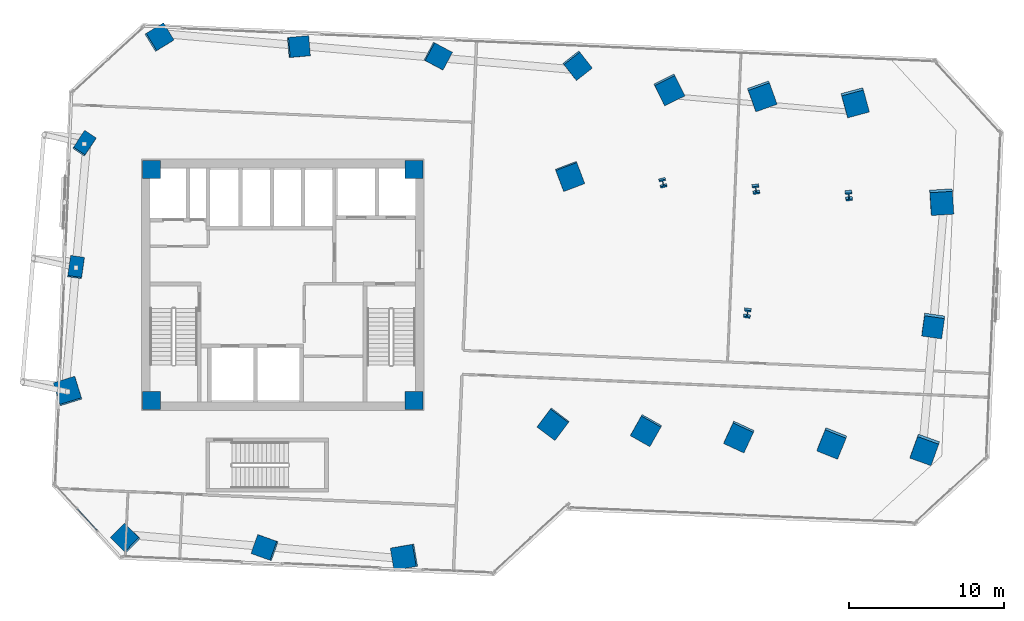
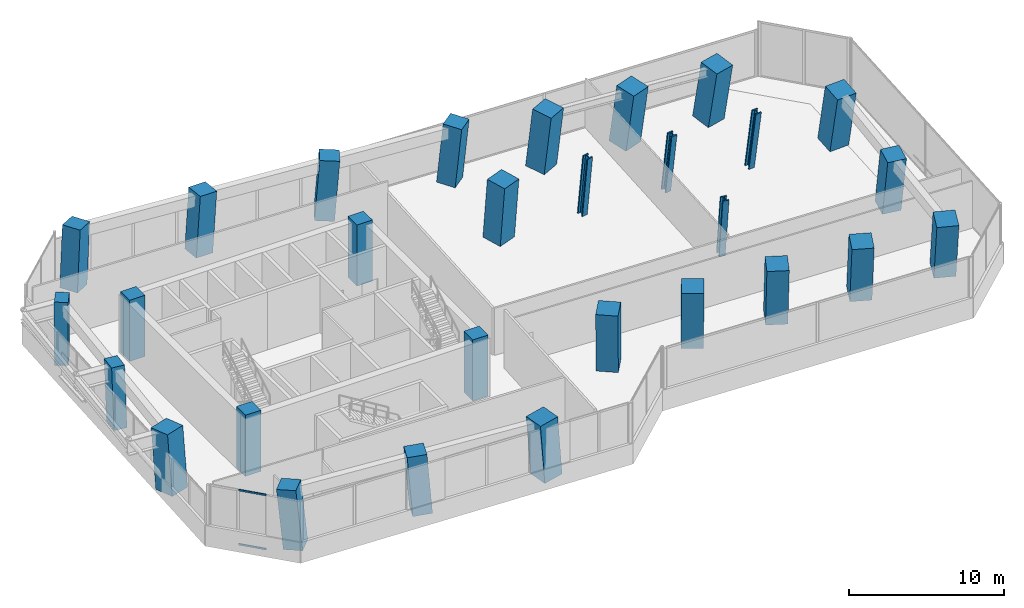
# One storey, part 1 of 26: 29 columns, 2 members, 1 element without a shape of its own.
"""IFC4 building model written with IfcOpenShell, lengths in metres."""

from ifc_helpers import new_model, si_unit, direction, frame, origin, origin_2d, place, context, subcontext, project, spatial, rectangle, hollow_rectangle, i_section, extrude, clip, halfspace, source, transform, mapped, material, material_profile, profile_set, type_object, element, aggregate, save


model = new_model("IFC4")

# Units and contexts
model_context = context("Model", 3, precision=1e-05, world=origin(), true_north=direction((0.0, 1.0)))
body_context = subcontext(model_context, "Body", "Model", "MODEL_VIEW")
ifc_project = project(units=[si_unit("LENGTHUNIT", "METRE"), si_unit("AREAUNIT", "SQUARE_METRE"), si_unit("VOLUMEUNIT", "CUBIC_METRE"), si_unit("PLANEANGLEUNIT", "RADIAN"), si_unit("MASSUNIT", "GRAM", prefix="KILO")], contexts=[model_context])

# Site, building, storey
site_placement = place(None, origin())
site = spatial("IfcSite", under=ifc_project, at=site_placement, CompositionType="ELEMENT")
building_placement = place(site_placement, origin())
building = spatial("IfcBuilding", under=site, at=building_placement, Name="Torre Montelarca", CompositionType="ELEMENT")
storey_placement = place(building_placement, frame((0.0, 0.0, 42.39990234375)))
storey = spatial("IfcBuildingStorey", under=building, at=storey_placement, Name="L09", CompositionType="ELEMENT", Elevation=42.39990234375)

# Columns
ifc_material_1 = material(Name="Concrete C55/67", Category="concrete")
ifc_material_profile_1 = material_profile(ifc_material_1, rectangle(XDim=0.89990234375, YDim=1.300048828125, at=origin_2d()), Name="RC1300X900", Category="concrete")
ifc_profile_set_1 = profile_set([ifc_material_profile_1], Name="Concrete C55/67")
column_type_1 = type_object("IfcColumnType", Name="COL-PIL1300-EXT", PredefinedType="PILASTER", material=ifc_profile_set_1)
column_1_placement = place(storey_placement, frame((4.68603515625, 33.10205078125, 0.0), z_axis=(0.005832072334, 0.076121222378, 0.997081514439), x_axis=(0.989961388282, -0.141249842823, 0.004993156728)))
element("IfcColumn", 1, at=column_1_placement, inside=storey, type_object=column_type_1, Name="L09 Column 1W/E", PredefinedType="PILASTER", context=body_context, shape_type="Clipping", body=[
    clip(clip(extrude(rectangle(XDim=0.89990234375, YDim=1.300048828125, at=origin_2d()), origin(), (0.0, 0.0, 1.0), 4.814208984375), halfspace(frame((0.0, 0.0, 0.052734375), z_axis=(0.0, 0.0, -1.0), x_axis=(1.0, 0.0, 0.0)), False)), halfspace(frame((0.0, 0.0, 4.761474609375), z_axis=(0.0, 0.0, 1.0), x_axis=(1.0, 0.0, 0.0)), False)),
])
column_2_placement = place(storey_placement, frame((5.209228515625, 41.0849609375, 0.0), z_axis=(0.041963394257, 0.073283898666, 0.996427891891), x_axis=(0.833557933495, -0.552404440794, 0.005523160188)))
element("IfcColumn", 2, at=column_2_placement, inside=storey, type_object=column_type_1, Name="L09 Column 1W/F", PredefinedType="PILASTER", context=body_context, shape_type="Clipping", body=[
    clip(clip(extrude(rectangle(XDim=0.89990234375, YDim=1.300048828125, at=origin_2d()), origin(), (0.0, 0.0, 1.0), 4.817138671875), halfspace(frame((0.0, 0.0, 0.05810546875), z_axis=(0.0, 0.0, -1.0), x_axis=(1.0, 0.0, 0.0)), False)), halfspace(frame((0.0, 0.0, 4.759033203125), z_axis=(0.0, 0.0, 1.0), x_axis=(1.0, 0.0, 0.0)), False)),
])
ifc_material_2 = material(Name="Concrete C70/85", Category="concrete")
ifc_material_profile_2 = material_profile(ifc_material_2, rectangle(XDim=1.300048828125, YDim=1.300048828125, at=origin_2d()), Name="RC1300X1300", Category="concrete")
ifc_profile_set_2 = profile_set([ifc_material_profile_2], Name="Concrete C70/85")
column_type_2 = type_object("IfcColumnType", Name="COL-RC1300-EXT", PredefinedType="COLUMN", material=ifc_profile_set_2)
column_3_placement = place(storey_placement, frame((7.90185546875, 15.654296875, 0.0), z_axis=(-0.073256283679, 0.062320998763, 0.995364059033), x_axis=(0.696166311011, 0.717852978143, 0.006290404147)))
element("IfcColumn", 3, at=column_3_placement, inside=storey, type_object=column_type_2, Name="L09 Column 2/CS", PredefinedType="COLUMN", context=body_context, shape_type="Clipping", body=[
    clip(clip(extrude(rectangle(XDim=1.300048828125, YDim=1.300048828125, at=origin_2d()), origin(), (0.0, 0.0, 1.0), 4.822509765625), halfspace(frame((0.0, 0.0, 0.067626953125), z_axis=(0.0, 0.0, -1.0), x_axis=(1.0, 0.0, 0.0)), False)), halfspace(frame((0.0, 0.0, 4.7548828125), z_axis=(0.0, 0.0, 1.0), x_axis=(1.0, 0.0, 0.0)), False)),
])
column_4_placement = place(storey_placement, frame((10.017578125, 47.93505859375, 0.0), z_axis=(0.072697958325, 0.051217864715, 0.996038019952), x_axis=(0.52145726239, -0.853257578553, 0.005816196551)))
element("IfcColumn", 4, at=column_4_placement, inside=storey, type_object=column_type_2, Name="L09 Column 2/GN", PredefinedType="COLUMN", context=body_context, shape_type="Clipping", body=[
    clip(clip(extrude(rectangle(XDim=1.300048828125, YDim=1.300048828125, at=origin_2d()), origin(), (0.0, 0.0, 1.0), 4.819091796875), halfspace(frame((0.0, 0.0, 0.0625), z_axis=(0.0, 0.0, -1.0), x_axis=(1.0, 0.0, 0.0)), False)), halfspace(frame((0.0, 0.0, 4.756591796875), z_axis=(0.0, 0.0, 1.0), x_axis=(1.0, 0.0, 0.0)), False)),
])
column_5_placement = place(storey_placement, frame((16.882568359375, 15.065673828125, 0.0), z_axis=(-0.076507759462, 0.021750714917, 0.996831715558), x_axis=(0.335583461966, 0.941996113517, 0.005202131703)))
element("IfcColumn", 5, at=column_5_placement, inside=storey, type_object=column_type_2, Name="L09 Column 3/CS", PredefinedType="COLUMN", context=body_context, shape_type="Clipping", body=[
    clip(clip(extrude(rectangle(XDim=1.300048828125, YDim=1.300048828125, at=origin_2d()), origin(), (0.0, 0.0, 1.0), 4.815185546875), halfspace(frame((0.0, 0.0, 0.055908203125), z_axis=(0.0, 0.0, -1.0), x_axis=(1.0, 0.0, 0.0)), False)), halfspace(frame((0.0, 0.0, 4.75927734375), z_axis=(0.0, 0.0, 1.0), x_axis=(1.0, 0.0, 0.0)), False)),
])
column_6_placement = place(storey_placement, frame((18.998291015625, 47.346435546875, 0.0), z_axis=(0.06971059334, 0.010603721986, 0.997510899317), x_axis=(0.08556043802, -0.996322308968, 0.004611734944)))
element("IfcColumn", 6, at=column_6_placement, inside=storey, type_object=column_type_2, Name="L09 Column 3/GN", PredefinedType="COLUMN", context=body_context, shape_type="Clipping", body=[
    clip(clip(extrude(rectangle(XDim=1.300048828125, YDim=1.300048828125, at=origin_2d()), origin(), (0.0, 0.0, 1.0), 4.81201171875), halfspace(frame((0.0, 0.0, 0.049560546875), z_axis=(0.0, 0.0, -1.0), x_axis=(1.0, 0.0, 0.0)), False)), halfspace(frame((0.0, 0.0, 4.762451171875), z_axis=(0.0, 0.0, 1.0), x_axis=(1.0, 0.0, 0.0)), False)),
])
column_7_placement = place(storey_placement, frame((27.97900390625, 46.7578125, 0.0), z_axis=(0.066603379117, -0.030080581734, 0.997325999106), x_axis=(-0.470170594703, -0.882562613084, 0.004779734565)))
element("IfcColumn", 7, at=column_7_placement, inside=storey, type_object=column_type_2, Name="L09 Column 4/GN", PredefinedType="COLUMN", context=body_context, shape_type="Clipping", body=[
    clip(clip(extrude(rectangle(XDim=1.300048828125, YDim=1.300048828125, at=origin_2d()), origin(), (0.0, 0.0, 1.0), 4.81298828125), halfspace(frame((0.0, 0.0, 0.05126953125), z_axis=(0.0, 0.0, -1.0), x_axis=(1.0, 0.0, 0.0)), False)), halfspace(frame((0.0, 0.0, 4.76171875), z_axis=(0.0, 0.0, 1.0), x_axis=(1.0, 0.0, 0.0)), False)),
])
column_8_placement = place(storey_placement, frame((36.959716796875, 46.169189453125, 0.0), z_axis=(0.063341492277, -0.070632599301, 0.995489272304), x_axis=(-0.786361684004, -0.617735217601, 0.006205067806)))
element("IfcColumn", 8, at=column_8_placement, inside=storey, type_object=column_type_2, Name="L09 Column 5/GN", PredefinedType="COLUMN", context=body_context, shape_type="Clipping", body=[
    clip(clip(extrude(rectangle(XDim=1.300048828125, YDim=1.300048828125, at=origin_2d()), origin(), (0.0, 0.0, 1.0), 4.82177734375), halfspace(frame((0.0, 0.0, 0.066650390625), z_axis=(0.0, 0.0, -1.0), x_axis=(1.0, 0.0, 0.0)), False)), halfspace(frame((0.0, 0.0, 4.755126953125), z_axis=(0.0, 0.0, 1.0), x_axis=(1.0, 0.0, 0.0)), False)),
])
column_9_placement = place(storey_placement, frame((59.91748046875, 29.48193359375, 0.0), z_axis=(-0.013126468892, -0.171846520223, 0.985036278165), x_axis=(-0.990053766885, 0.140237226743, 0.011272041138)))
element("IfcColumn", 9, at=column_9_placement, inside=storey, type_object=column_type_2, Name="L09 Column 9/E", PredefinedType="COLUMN", context=body_context, shape_type="Clipping", body=[
    clip(clip(extrude(rectangle(XDim=1.300048828125, YDim=1.300048828125, at=origin_2d()), origin(), (0.0, 0.0, 1.0), 4.873046875), halfspace(frame((0.0, 0.0, 0.12158203125), z_axis=(0.0, 0.0, -1.0), x_axis=(1.0, 0.0, 0.0)), False)), halfspace(frame((0.0, 0.0, 4.75146484375), z_axis=(0.0, 0.0, 1.0), x_axis=(1.0, 0.0, 0.0)), False)),
])
ifc_material_profile_3 = material_profile(ifc_material_2, rectangle(XDim=1.449951171875, YDim=1.449951171875, at=origin_2d()), Name="RC1450X1450", Category="concrete")
ifc_profile_set_3 = profile_set([ifc_material_profile_3], Name="Concrete C70/85")
column_type_3 = type_object("IfcColumnType", Name="COL-RC1450", PredefinedType="COLUMN", material=ifc_profile_set_3)
for number, where, z_axis, x_axis, name in (
    (10, (35.44580078125, 23.06884765625, 0.0), (-0.04118343383, -0.062789521037, 0.997176714944), (-0.798624033663, 0.601810213736, 0.004911160636), "L09 Column 5/D"),
    (11, (36.4921875, 39.034423828125, 0.0), (0.031141299161, -0.068267408258, 0.997180916613), (-0.934929520198, -0.354799532987, 0.004907509994), "L09 Column 5/F"),
):
    element("IfcColumn", number, at=place(storey_placement, frame(where, z_axis=z_axis, x_axis=x_axis)), inside=storey, type_object=column_type_3, Name=name, PredefinedType="COLUMN", context=body_context, shape_type="Clipping", body=[
        clip(clip(extrude(rectangle(XDim=1.449951171875, YDim=1.449951171875, at=origin_2d()), origin(), (0.0, 0.0, 1.0), 4.813720703125), halfspace(frame((0.0, 0.0, 0.058837890625), z_axis=(0.0, 0.0, -1.0), x_axis=(1.0, 0.0, 0.0)), False)), halfspace(frame((0.0, 0.0, 4.7548828125), z_axis=(0.0, 0.0, 1.0), x_axis=(1.0, 0.0, 0.0)), False)),
    ])
column_10_placement = place(storey_placement, frame((41.432861328125, 22.676513671875, 0.0), z_axis=(-0.043169759847, -0.089730344911, 0.995030068408), x_axis=(-0.870990685496, 0.491256361773, 0.006512510793)))
element("IfcColumn", 12, at=column_10_placement, inside=storey, type_object=column_type_3, Name="L09 Column 6/D", PredefinedType="COLUMN", context=body_context, shape_type="Clipping", body=[
    clip(clip(extrude(rectangle(XDim=1.449951171875, YDim=1.449951171875, at=origin_2d()), origin(), (0.0, 0.0, 1.0), 4.823974609375), halfspace(frame((0.0, 0.0, 0.077880859375), z_axis=(0.0, 0.0, -1.0), x_axis=(1.0, 0.0, 0.0)), False)), halfspace(frame((0.0, 0.0, 4.74609375), z_axis=(0.0, 0.0, 1.0), x_axis=(1.0, 0.0, 0.0)), False)),
])
column_11_placement = place(storey_placement, frame((42.871826171875, 44.62939453125, 0.0), z_axis=(0.05594918628, -0.097190862888, 0.993691916403), x_axis=(-0.897226285836, -0.441510130901, 0.007334597258)))
element("IfcColumn", 13, at=column_11_placement, inside=storey, type_object=column_type_3, Name="L09 Column 6/G", PredefinedType="COLUMN", context=body_context, shape_type="Clipping", body=[
    clip(clip(extrude(rectangle(XDim=1.449951171875, YDim=1.449951171875, at=origin_2d()), origin(), (0.0, 0.0, 1.0), 4.83056640625), halfspace(frame((0.0, 0.0, 0.087646484375), z_axis=(0.0, 0.0, -1.0), x_axis=(1.0, 0.0, 0.0)), False)), halfspace(frame((0.0, 0.0, 4.742919921875), z_axis=(0.0, 0.0, 1.0), x_axis=(1.0, 0.0, 0.0)), False)),
])
column_12_placement = place(storey_placement, frame((47.419921875, 22.283935546875, 0.0), z_axis=(-0.045064550485, -0.116420960772, 0.992177074006), x_axis=(-0.907151071191, 0.420725884157, 0.008164829265)))
element("IfcColumn", 14, at=column_12_placement, inside=storey, type_object=column_type_3, Name="L09 Column 7/D", PredefinedType="COLUMN", context=body_context, shape_type="Clipping", body=[
    clip(clip(extrude(rectangle(XDim=1.449951171875, YDim=1.449951171875, at=origin_2d()), origin(), (0.0, 0.0, 1.0), 4.837890625), halfspace(frame((0.0, 0.0, 0.09765625), z_axis=(0.0, 0.0, -1.0), x_axis=(1.0, 0.0, 0.0)), False)), halfspace(frame((0.0, 0.0, 4.740234375), z_axis=(0.0, 0.0, 1.0), x_axis=(1.0, 0.0, 0.0)), False)),
])
column_13_placement = place(storey_placement, frame((48.85888671875, 44.23681640625, 0.0), z_axis=(0.053773429187, -0.123774641127, 0.990852287946), x_axis=(-0.941041633397, -0.338175608551, 0.008826210683)))
element("IfcColumn", 15, at=column_13_placement, inside=storey, type_object=column_type_3, Name="L09 Column 7/G", PredefinedType="COLUMN", context=body_context, shape_type="Clipping", body=[
    clip(clip(extrude(rectangle(XDim=1.449951171875, YDim=1.449951171875, at=origin_2d()), origin(), (0.0, 0.0, 1.0), 4.844482421875), halfspace(frame((0.0, 0.0, 0.105712890625), z_axis=(0.0, 0.0, -1.0), x_axis=(1.0, 0.0, 0.0)), False)), halfspace(frame((0.0, 0.0, 4.73876953125), z_axis=(0.0, 0.0, 1.0), x_axis=(1.0, 0.0, 0.0)), False)),
])
column_14_placement = place(storey_placement, frame((53.4072265625, 21.8916015625, 0.0), z_axis=(-0.046965010529, -0.142856097337, 0.988628556759), x_axis=(-0.927751383224, 0.373069215808, 0.009835199134)))
element("IfcColumn", 16, at=column_14_placement, inside=storey, type_object=column_type_3, Name="L09 Column 8/D", PredefinedType="COLUMN", context=body_context, shape_type="Clipping", body=[
    clip(clip(extrude(rectangle(XDim=1.449951171875, YDim=1.449951171875, at=origin_2d()), origin(), (0.0, 0.0, 1.0), 4.855224609375), halfspace(frame((0.0, 0.0, 0.117919921875), z_axis=(0.0, 0.0, -1.0), x_axis=(1.0, 0.0, 0.0)), False)), halfspace(frame((0.0, 0.0, 4.7373046875), z_axis=(0.0, 0.0, 1.0), x_axis=(1.0, 0.0, 0.0)), False)),
])
column_15_placement = place(storey_placement, frame((54.84619140625, 43.844482421875, 0.0), z_axis=(0.051472350081, -0.150198828384, 0.987314999951), x_axis=(-0.964901499292, -0.262406674898, 0.01038429745)))
element("IfcColumn", 17, at=column_15_placement, inside=storey, type_object=column_type_3, Name="L09 Column 8/G", PredefinedType="COLUMN", context=body_context, shape_type="Clipping", body=[
    clip(clip(extrude(rectangle(XDim=1.449951171875, YDim=1.449951171875, at=origin_2d()), origin(), (0.0, 0.0, 1.0), 4.86181640625), halfspace(frame((0.0, 0.0, 0.124755859375), z_axis=(0.0, 0.0, -1.0), x_axis=(1.0, 0.0, 0.0)), False)), halfspace(frame((0.0, 0.0, 4.737060546875), z_axis=(0.0, 0.0, 1.0), x_axis=(1.0, 0.0, 0.0)), False)),
])
ifc_material_profile_4 = material_profile(ifc_material_2, rectangle(XDim=1.449951171875, YDim=1.449951171875, at=origin_2d()), Name="RC1450X1450", Category="concrete")
ifc_profile_set_4 = profile_set([ifc_material_profile_4], Name="Concrete C70/85")
column_type_4 = type_object("IfcColumnType", Name="COL-RC1450-EXT", PredefinedType="COLUMN", material=ifc_profile_set_4)
column_16_placement = place(storey_placement, frame((25.86328125, 14.47705078125, 0.0), z_axis=(-0.079585901661, -0.018907988102, 0.996648670416), x_axis=(-0.167232150884, 0.985903030052, 0.005350051031)))
element("IfcColumn", 18, at=column_16_placement, inside=storey, type_object=column_type_4, Name="L09 Perimeter Mega Column 4/CS", PredefinedType="COLUMN", context=body_context, shape_type="Clipping", body=[
    clip(clip(extrude(rectangle(XDim=1.449951171875, YDim=1.449951171875, at=origin_2d()), origin(), (0.0, 0.0, 1.0), 4.816162109375), halfspace(frame((0.0, 0.0, 0.06396484375), z_axis=(0.0, 0.0, -1.0), x_axis=(1.0, 0.0, 0.0)), False)), halfspace(frame((0.0, 0.0, 4.752197265625), z_axis=(0.0, 0.0, 1.0), x_axis=(1.0, 0.0, 0.0)), False)),
])
for number, where, z_axis, x_axis, name in (
    (19, (59.394287109375, 21.4990234375, 0.0), (-0.048816991024, -0.169031960715, 0.98440088259), (-0.940815168833, 0.338724676328, 0.011507030043), "L09 Perimeter Mega Column 9/D"),
    (20, (60.44091796875, 37.46484375, 0.0), (0.022530926729, -0.174489510333, 0.984401223143), (-0.997887745701, -0.063934639332, 0.011506905422), "L09 Perimeter Mega Column 9/F"),
):
    element("IfcColumn", number, at=place(storey_placement, frame(where, z_axis=z_axis, x_axis=x_axis)), inside=storey, type_object=column_type_4, Name=name, PredefinedType="COLUMN", context=body_context, shape_type="Clipping", body=[
        clip(clip(extrude(rectangle(XDim=1.449951171875, YDim=1.449951171875, at=origin_2d()), origin(), (0.0, 0.0, 1.0), 4.876220703125), halfspace(frame((0.0, 0.0, 0.138427734375), z_axis=(0.0, 0.0, -1.0), x_axis=(1.0, 0.0, 0.0)), False)), halfspace(frame((0.0, 0.0, 4.73779296875), z_axis=(0.0, 0.0, 1.0), x_axis=(1.0, 0.0, 0.0)), False)),
    ])
column_17_placement = place(storey_placement, frame((4.162841796875, 25.119140625, 0.0), z_axis=(-0.030306808668, 0.078858518875, 0.996425025453), x_axis=(0.954818480611, 0.297138249558, 0.005525371807)))
element("IfcColumn", 21, at=column_17_placement, inside=storey, type_object=column_type_4, Name="L09 Perimeter Mega Column 1W/D", PredefinedType="COLUMN", context=body_context, shape_type="Clipping", body=[
    clip(clip(extrude(rectangle(XDim=1.449951171875, YDim=1.449951171875, at=origin_2d()), origin(), (0.0, 0.0, 1.0), 4.8173828125), halfspace(frame((0.0, 0.0, 0.066162109375), z_axis=(0.0, 0.0, -1.0), x_axis=(1.0, 0.0, 0.0)), False)), halfspace(frame((0.0, 0.0, 4.751220703125), z_axis=(0.0, 0.0, 1.0), x_axis=(1.0, 0.0, 0.0)), False)),
])
ifc_material_3 = material(Name="Steel ASTM A992 Grade 50", Category="steel")
ifc_material_profile_5 = material_profile(ifc_material_3, i_section(OverallWidth=0.431884765625, OverallDepth=0.498046875, WebThickness=0.0556640625, FlangeThickness=0.0888671875, FilletRadius=0.014892578125, at=origin_2d()), Name="W360X744", Category="steel")
ifc_profile_set_5 = profile_set([ifc_material_profile_5], Name="Steel ASTM A992 Grade 50")
column_type_5 = type_object("IfcColumnType", Name="COL-W360X744", PredefinedType="COLUMN", material=ifc_profile_set_5)
column_18_placement = place(storey_placement, frame((42.479248046875, 38.64208984375, 0.0), z_axis=(0.02899931962, -0.09519671938, 0.99503599135), x_axis=(-0.973515942336, -0.228526470327, 0.006508638639)))
element("IfcColumn", 22, at=column_18_placement, inside=storey, type_object=column_type_5, Name="L09 Column 6/F", PredefinedType="COLUMN", context=body_context, shape_type="Clipping", body=[
    clip(clip(extrude(i_section(OverallWidth=0.431884765625, OverallDepth=0.498046875, WebThickness=0.0556640625, FlangeThickness=0.0888671875, FilletRadius=0.014892578125, at=origin_2d()), origin(), (0.0, 0.0, 1.0), 4.823974609375), halfspace(frame((0.0, 0.0, 0.027099609375), z_axis=(0.0, 0.0, -1.0), x_axis=(1.0, 0.0, 0.0)), False)), halfspace(frame((0.0, 0.0, 4.796875), z_axis=(0.0, 0.0, 1.0), x_axis=(1.0, 0.0, 0.0)), False)),
])
column_19_placement = place(storey_placement, frame((47.943359375, 30.266845703125, 0.0), z_axis=(-0.009139992068, -0.119223874428, 0.992825326184), x_axis=(-0.989976087414, 0.141018389622, 0.007820494689)))
element("IfcColumn", 23, at=column_19_placement, inside=storey, type_object=column_type_5, Name="L09 Column 7/E", PredefinedType="COLUMN", context=body_context, shape_type="Clipping", body=[
    clip(clip(extrude(i_section(OverallWidth=0.431884765625, OverallDepth=0.498046875, WebThickness=0.0556640625, FlangeThickness=0.0888671875, FilletRadius=0.014892578125, at=origin_2d()), origin(), (0.0, 0.0, 1.0), 4.834716796875), halfspace(frame((0.0, 0.0, 0.032470703125), z_axis=(0.0, 0.0, -1.0), x_axis=(1.0, 0.0, 0.0)), False)), halfspace(frame((0.0, 0.0, 4.80224609375), z_axis=(0.0, 0.0, 1.0), x_axis=(1.0, 0.0, 0.0)), False)),
])
column_20_placement = place(storey_placement, frame((48.466552734375, 38.249755859375, 0.0), z_axis=(0.026846953188, -0.121921501695, 0.992176591403), x_axis=(-0.988467452894, -0.151213180759, 0.008165080119)))
element("IfcColumn", 24, at=column_20_placement, inside=storey, type_object=column_type_5, Name="L09 Column 7/F", PredefinedType="COLUMN", context=body_context, shape_type="Clipping", body=[
    clip(clip(extrude(i_section(OverallWidth=0.431884765625, OverallDepth=0.498046875, WebThickness=0.0556640625, FlangeThickness=0.0888671875, FilletRadius=0.014892578125, at=origin_2d()), origin(), (0.0, 0.0, 1.0), 4.837890625), halfspace(frame((0.0, 0.0, 0.03369140625), z_axis=(0.0, 0.0, -1.0), x_axis=(1.0, 0.0, 0.0)), False)), halfspace(frame((0.0, 0.0, 4.80419921875), z_axis=(0.0, 0.0, 1.0), x_axis=(1.0, 0.0, 0.0)), False)),
])
column_21_placement = place(storey_placement, frame((54.45361328125, 37.857421875, 0.0), z_axis=(0.02468913252, -0.148386211946, 0.988621251461), x_axis=(-0.994939353352, -0.099994450958, 0.009838339745)))
element("IfcColumn", 25, at=column_21_placement, inside=storey, type_object=column_type_5, Name="L09 Column 8/F", PredefinedType="COLUMN", context=body_context, shape_type="Clipping", body=[
    clip(clip(extrude(i_section(OverallWidth=0.431884765625, OverallDepth=0.498046875, WebThickness=0.0556640625, FlangeThickness=0.0888671875, FilletRadius=0.014892578125, at=origin_2d()), origin(), (0.0, 0.0, 1.0), 4.855224609375), halfspace(frame((0.0, 0.0, 0.040771484375), z_axis=(0.0, 0.0, -1.0), x_axis=(1.0, 0.0, 0.0)), False)), halfspace(frame((0.0, 0.0, 4.814453125), z_axis=(0.0, 0.0, 1.0), x_axis=(1.0, 0.0, 0.0)), False)),
])
ifc_material_profile_6 = material_profile(ifc_material_1, rectangle(XDim=1.14990234375, YDim=1.14990234375, at=origin_2d()), Name="RC1150X1150", Category="concrete")
ifc_profile_set_6 = profile_set([ifc_material_profile_6], Name="Concrete C55/67")
column_type_6 = type_object("IfcColumnType", Name="COL-RC1150", PredefinedType="COLUMN", material=ifc_profile_set_6)
shared_shape_1 = source(origin(), body_context, "Body", "SweptSolid", [
    extrude(rectangle(XDim=1.14990234375, YDim=1.14990234375, at=origin_2d()), origin(), (0.0, 0.0, 1.0), 4.798583984375),
])
for number, where, z_axis, x_axis, name in (
    (26, (9.550048828125, 24.550048828125, 0.000732421875), (0.0, 0.0, 1.0), (1.0, 0.0, 0.0), "L09 Plumb Core Corner Column 2D"),
    (27, (26.449951171875, 24.550048828125, 0.000732421875), (0.0, 0.0, 1.0), (1.0, 0.0, 0.0), "L09 Plumb Core Corner Column 4D"),
    (28, (9.550048828125, 39.449951171875, 0.000732421875), (0.0, 0.0, 1.0), (1.0, 0.0, 0.0), "L09 Plumb Core Corner Column 2F"),
    (29, (26.449951171875, 39.449951171875, 0.000732421875), (0.0, 0.0, 1.0), (1.0, 0.0, 0.0), "L09 Plumb Core Corner Column 4F"),
):
    element("IfcColumn", number, at=place(storey_placement, frame(where, z_axis=z_axis, x_axis=x_axis)), inside=storey, type_object=column_type_6, Name=name, PredefinedType="COLUMN", context=body_context, shape_type="MappedRepresentation", body=[
        mapped(shared_shape_1, transform((0.0, 0.0, 0.0), scale=1.0)),
    ])

# Curtain wall, members
ifc_material_4 = material(Name="Insulated low-E laminated glass", Category="glass")
curtain_wall_type = type_object("IfcCurtainWallType", Name="CW-SYS-Z1", PredefinedType="USERDEFINED", material=ifc_material_4)
curtain_wall_placement = place(storey_placement, origin())
curtain_wall = element("IfcCurtainWall", 30, at=curtain_wall_placement, inside=storey, type_object=curtain_wall_type, Name="L09 Curtain Wall Run CW-T3-L09-E11-B1", ObjectType="UNITISED GLAZING", PredefinedType="USERDEFINED")
ifc_material_5 = material(Name="Anodised aluminium AA 6063-T6", Category="aluminium")
ifc_material_profile_7 = material_profile(ifc_material_5, hollow_rectangle(XDim=0.06494140625, YDim=0.139892578125, WallThickness=0.00390625, InnerFilletRadius=0.00390625, OuterFilletRadius=0.008056640625, at=origin_2d()), Name="ALU65X140X4", Category="aluminium")
ifc_profile_set_7 = profile_set([ifc_material_profile_7], Name="Anodised aluminium AA 6063-T6")
member_type = type_object("IfcMemberType", Name="CWT-ALU140", PredefinedType="USERDEFINED", material=ifc_profile_set_7)
shared_shape_2 = source(origin(), body_context, "Body", "SweptSolid", [
    extrude(hollow_rectangle(XDim=0.06494140625, YDim=0.139892578125, WallThickness=0.00390625, InnerFilletRadius=0.00390625, OuterFilletRadius=0.008056640625, at=origin_2d()), origin(), (0.0, 0.0, 1.0), 1.870849609375),
])
member_1_placement = place(storey_placement, frame((4.779052734375, 17.575439453125, 0.03271484375), z_axis=(0.675570974818, -0.737294959961, 0.0), x_axis=(0.737294959961, 0.675570974818, 0.0)))
member_1 = element("IfcMember", 31, at=member_1_placement, type_object=member_type, Name="CW transom 2.1", ObjectType="TRANSOM", PredefinedType="USERDEFINED", context=body_context, shape_type="MappedRepresentation", body=[
    mapped(shared_shape_2, transform((0.0, 0.0, 0.0), scale=1.0)),
])
member_2_placement = place(storey_placement, frame((4.779052734375, 17.575439453125, 4.28759765625), z_axis=(0.675570974818, -0.737294959961, 0.0), x_axis=(0.737294959961, 0.675570974818, 0.0)))
member_2 = element("IfcMember", 32, at=member_2_placement, type_object=member_type, Name="CW transom 2.2", ObjectType="TRANSOM", PredefinedType="USERDEFINED", context=body_context, shape_type="MappedRepresentation", body=[
    mapped(shared_shape_2, transform((0.0, 0.0, 0.0), scale=1.0)),
])
aggregate(curtain_wall, [member_1, member_2])

save(model, "model.ifc")
